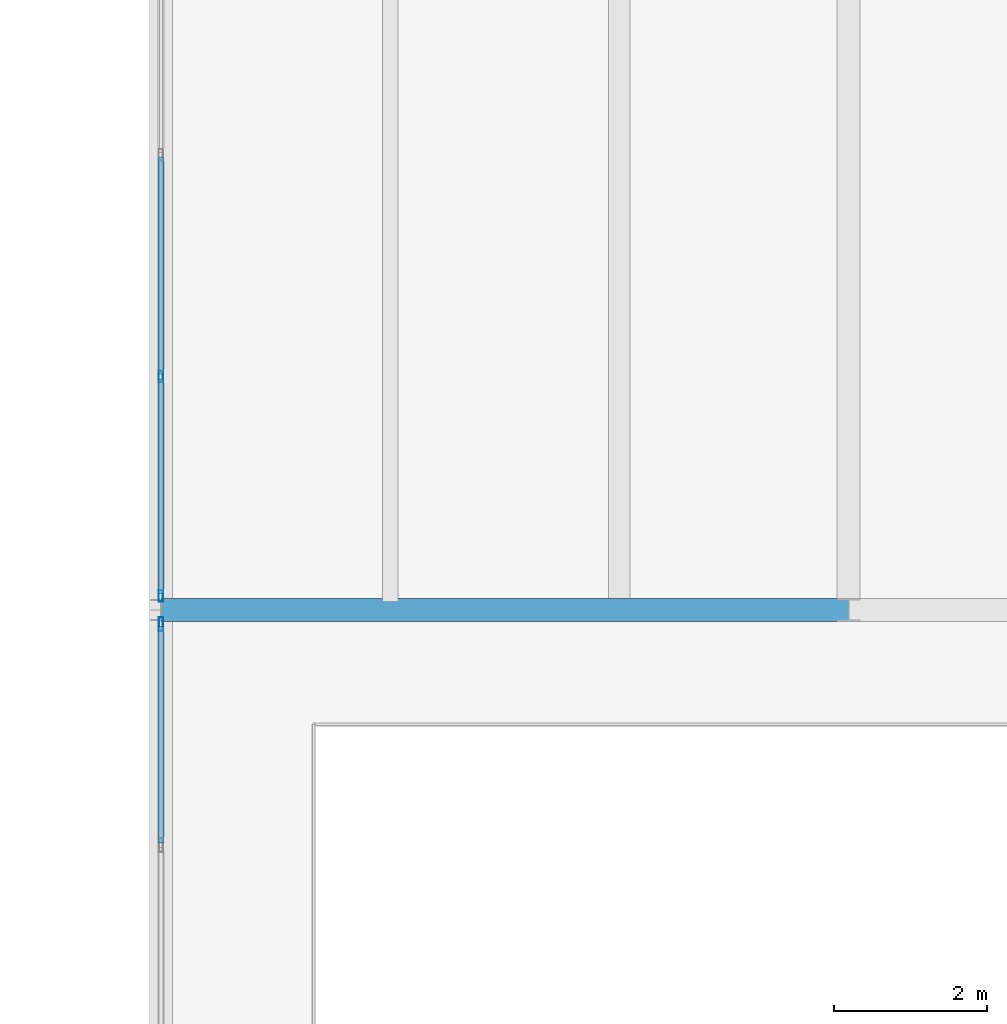
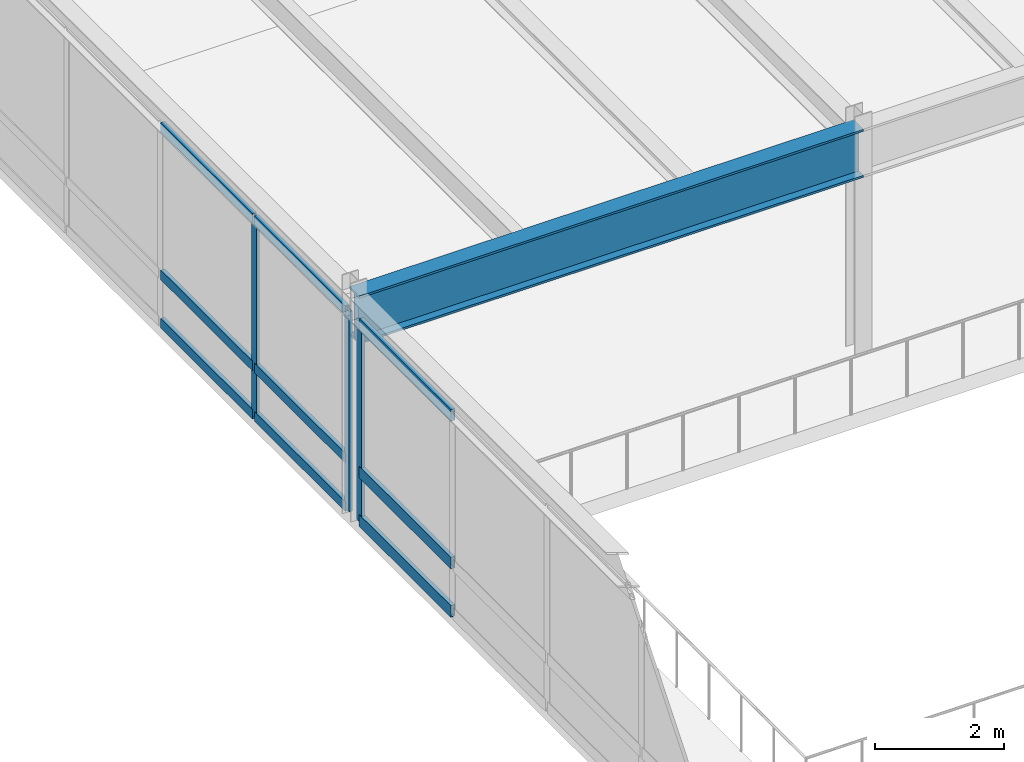
# One storey, part 52 of 127: 12 members, 1 beam, 2 elements without a shape of their own.
"""IFC4 building model written with IfcOpenShell, lengths in metres."""

import ifcopenshell
import ifcopenshell.guid

model = None  # the IFC model being written
_history = None  # IfcOwnerHistory: only IFC2X3 demands one
_inside = {}  # id of a spatial element -> (the spatial element, [elements in it])
_under = {}  # id of a project, library or spatial element -> (it, [spatial elements below it])
_declared = {}  # id of a project -> (the project, [libraries it declares])
_typed = {}  # id of a type object -> (the type object, [elements of that type])
_made_of = {}  # id of a material, layer set ... -> (it, [elements and type objects made of it])


def new_model(schema):
    """Start an empty IFC model of exactly this schema.

    Asked for "IFC4X3", IfcOpenShell would pick the latest addendum, in which some entities
    have other attributes; the version numbers below select the first issue.
    IFC2X3 requires an IfcOwnerHistory on every rooted entity: one is made here for all.
    """
    global model, _history
    if schema == "IFC4X3":
        model = ifcopenshell.file(schema_version=(4, 3, 0, 0))
    else:
        model = ifcopenshell.file(schema=schema)
    _inside.clear()
    _under.clear()
    _declared.clear()
    _typed.clear()
    _made_of.clear()
    _history = None
    if model.schema == "IFC2X3":
        org = make("IfcOrganization", Name="unknown")
        user = make(
            "IfcPersonAndOrganization",
            ThePerson=make("IfcPerson", FamilyName="unknown"),
            TheOrganization=org,
        )
        app = make(
            "IfcApplication",
            ApplicationDeveloper=org,
            Version="unknown",
            ApplicationFullName="unknown",
            ApplicationIdentifier="unknown",
        )
        _history = make(
            "IfcOwnerHistory",
            OwningUser=user,
            OwningApplication=app,
            ChangeAction="ADDED",
            CreationDate=0,
        )
    return model


def make(cls, **values):
    """One entity of the class cls with the attributes given. An attribute that is None is left unset."""
    return model.create_entity(
        cls, **{name: value for name, value in values.items() if value is not None}
    )


def rooted(cls, **values):
    """An entity with a GlobalId (a new one), such as an element, a storey or a relation."""
    return make(cls, GlobalId=ifcopenshell.guid.new(), OwnerHistory=_history, **values)


def si_unit(unit_type, name, prefix=None):
    """IfcSIUnit, for example si_unit("LENGTHUNIT", "METRE", prefix="MILLI")."""
    return make("IfcSIUnit", UnitType=unit_type, Prefix=prefix, Name=name)


def assignment(units):
    """IfcUnitAssignment: the units of a project."""
    return None if units is None else make("IfcUnitAssignment", Units=units)


def point(xyz):
    """IfcCartesianPoint."""
    return None if xyz is None else make("IfcCartesianPoint", Coordinates=xyz)


def direction(xyz):
    """IfcDirection."""
    return None if xyz is None else make("IfcDirection", DirectionRatios=xyz)


def frame(location, z_axis=None, x_axis=None):
    """IfcAxis2Placement3D, a coordinate frame: its origin and axes. An axis left out is left unset."""
    return make(
        "IfcAxis2Placement3D",
        Location=point(location),
        Axis=direction(z_axis),
        RefDirection=direction(x_axis),
    )


def frame_2d(location, x_axis=None):
    """IfcAxis2Placement2D, a coordinate frame in the plane: its origin and x axis."""
    return make(
        "IfcAxis2Placement2D", Location=point(location), RefDirection=direction(x_axis)
    )


def origin():
    """The frame at (0, 0, 0) with its axes left unset."""
    return frame((0.0, 0.0, 0.0))


def origin_2d():
    """The frame at (0, 0) in the plane with its x axis left unset."""
    return frame_2d((0.0, 0.0))


def place(relative_to, where):
    """IfcLocalPlacement: puts the frame where relative to a parent placement (None: the world)."""
    return make(
        "IfcLocalPlacement", PlacementRelTo=relative_to, RelativePlacement=where
    )


def context(
    kind, dimensions, precision=None, world=None, true_north=None, identifier=None
):
    """IfcGeometricRepresentationContext, for example the 3D "Model" context."""
    return make(
        "IfcGeometricRepresentationContext",
        ContextIdentifier=identifier,
        ContextType=kind,
        CoordinateSpaceDimension=dimensions,
        Precision=precision,
        WorldCoordinateSystem=world,
        TrueNorth=true_north,
    )


def subcontext(parent, identifier, kind, view, scale=None):
    """IfcGeometricRepresentationSubContext, for example "Body" below "Model"."""
    return make(
        "IfcGeometricRepresentationSubContext",
        ContextIdentifier=identifier,
        ContextType=kind,
        ParentContext=parent,
        TargetScale=scale,
        TargetView=view,
    )


def project(units=None, contexts=None):
    """IfcProject with its units and contexts."""
    return rooted(
        "IfcProject",
        Name="project",
        RepresentationContexts=contexts,
        UnitsInContext=assignment(units),
    )


def spatial(cls, under=None, at=None, **own):
    """A site, building, storey or space (cls), placed at a placement, below another one or the project."""
    s = rooted(cls, ObjectPlacement=at, **own)
    if under is not None:
        _under.setdefault(under.id(), (under, []))[1].append(s)
    return s


def profile(cls, at=None, kind="AREA", **sizes):
    """A parametric profile (cls). Its sizes go by their IFC names, for example OverallWidth=200.0."""
    return make(cls, ProfileType=kind, Position=at, **sizes)


def hollow_rectangle(**sizes):
    """IfcRectangleHollowProfileDef."""
    return profile("IfcRectangleHollowProfileDef", **sizes)


def i_section(**sizes):
    """IfcIShapeProfileDef."""
    return profile("IfcIShapeProfileDef", **sizes)


def extrude(swept, where, along, depth):
    """IfcExtrudedAreaSolid: the profile swept, set in the frame where, extruded along a direction by depth."""
    return make(
        "IfcExtrudedAreaSolid",
        SweptArea=swept,
        Position=where,
        ExtrudedDirection=direction(along),
        Depth=depth,
    )


def shape(context_of_items, identifier, shape_type, items):
    """IfcShapeRepresentation: the items that make up one representation, for example the "Body"."""
    return make(
        "IfcShapeRepresentation",
        ContextOfItems=context_of_items,
        RepresentationIdentifier=identifier,
        RepresentationType=shape_type,
        Items=items,
    )


def material(Name=None, Category=None):
    """IfcMaterial."""
    return make("IfcMaterial", Name=Name, Category=Category)


def layer(
    of_material, thickness, ventilated=None, Name=None, Category=None, Priority=None
):
    """IfcMaterialLayer: one layer of a wall or slab, of a material (None: an air gap)."""
    return make(
        "IfcMaterialLayer",
        Material=of_material,
        LayerThickness=thickness,
        IsVentilated=ventilated,
        Name=Name,
        Category=Category,
        Priority=Priority,
    )


def layer_set(layers, Name=None):
    """IfcMaterialLayerSet."""
    return make("IfcMaterialLayerSet", MaterialLayers=layers, LayerSetName=Name)


def material_profile(
    of_material, cross_section, Name=None, Category=None, Priority=None
):
    """IfcMaterialProfile: a cross section and its material."""
    return make(
        "IfcMaterialProfile",
        Name=Name,
        Material=of_material,
        Profile=cross_section,
        Priority=Priority,
        Category=Category,
    )


def profile_set(profiles, Name=None, composite=None):
    """IfcMaterialProfileSet."""
    return make(
        "IfcMaterialProfileSet",
        Name=Name,
        MaterialProfiles=profiles,
        CompositeProfile=composite,
    )


def made_of(thing, what):
    """Note that an element or type object is made of a material, layer set ...; save() writes the relation."""
    if what is not None:
        _made_of.setdefault(what.id(), (what, []))[1].append(thing)
    return thing


def type_object(cls, material=None, **own):
    """A type object (cls), such as IfcWallType, which elements share."""
    return made_of(rooted(cls, **own), material)


def element(
    cls,
    number,
    at=None,
    inside=None,
    cuts=None,
    type_object=None,
    material=None,
    context=None,
    identifier="Body",
    shape_type=None,
    held_by="IfcProductDefinitionShape",
    body=None,
    shapes=None,
    **own,
):
    """One element of the class cls, such as IfcWall. Its Tag is "e" and its number.

    at: its placement. inside: the storey or other place that contains it. cuts: it is an
    opening in that element (IfcRelVoidsElement). A single representation is given by context,
    identifier, shape_type and body (its items); several are given by shapes. held_by: the class
    of the entity that holds the representations. save() writes the other relations.
    """
    e = rooted(cls, Tag="e%d" % number, ObjectPlacement=at, **own)
    if body is not None:
        shapes = [shape(context, identifier, shape_type, body)]
    if shapes is not None:
        e.Representation = make(held_by, Representations=shapes)
    if inside is not None:
        _inside.setdefault(inside.id(), (inside, []))[1].append(e)
    if cuts is not None:
        rooted(
            "IfcRelVoidsElement", RelatingBuildingElement=cuts, RelatedOpeningElement=e
        )
    if type_object is not None:
        _typed.setdefault(type_object.id(), (type_object, []))[1].append(e)
    return made_of(e, material)


def aggregate(whole, parts):
    """IfcRelAggregates: a whole, such as a stair, and the parts it consists of."""
    return rooted("IfcRelAggregates", RelatingObject=whole, RelatedObjects=parts)


def save(model, path):
    """Write the relations noted so far, then the file.

    IfcRelAggregates (storeys below a building ...), IfcRelContainedInSpatialStructure (elements
    in a storey), IfcRelDefinesByType, IfcRelAssociatesMaterial and IfcRelDeclares: one each for
    every whole, place, type object, material and project.
    """
    for whole, parts in _under.values():
        aggregate(whole, parts)
    for where, things in _inside.values():
        rooted(
            "IfcRelContainedInSpatialStructure",
            RelatedElements=things,
            RelatingStructure=where,
        )
    for kind, things in _typed.values():
        rooted("IfcRelDefinesByType", RelatedObjects=things, RelatingType=kind)
    for what, things in _made_of.values():
        rooted("IfcRelAssociatesMaterial", RelatedObjects=things, RelatingMaterial=what)
    for by, libraries in _declared.values():
        rooted("IfcRelDeclares", RelatingContext=by, RelatedDefinitions=libraries)
    model.write(path)


model = new_model("IFC4")

# Units and contexts
model_context = context("Model", 3, precision=1e-05, world=origin(), true_north=direction((0.0, 1.0)))
body_context = subcontext(model_context, "Body", "Model", "MODEL_VIEW")
ifc_project = project(units=[si_unit("LENGTHUNIT", "METRE"), si_unit("AREAUNIT", "SQUARE_METRE"), si_unit("VOLUMEUNIT", "CUBIC_METRE"), si_unit("PLANEANGLEUNIT", "RADIAN"), si_unit("MASSUNIT", "GRAM", prefix="KILO")], contexts=[model_context])

# Site, building, storey
site_placement = place(None, origin())
site = spatial("IfcSite", under=ifc_project, at=site_placement, CompositionType="ELEMENT")
building_placement = place(site_placement, origin())
building = spatial("IfcBuilding", under=site, at=building_placement, Name="Montelvaro Courts of Justice", CompositionType="ELEMENT")
storey_placement = place(building_placement, frame((0.0, 0.0, 5.39990234375)))
storey = spatial("IfcBuildingStorey", under=building, at=storey_placement, Name="L01", CompositionType="ELEMENT", Elevation=5.39990234375)

# Beam
ifc_material_1 = material(Name="Steel S355", Category="steel")
ifc_material_profile_1 = material_profile(ifc_material_1, i_section(OverallWidth=0.302001953125, OverallDepth=0.909912109375, WebThickness=0.02099609375, FlangeThickness=0.0400390625, at=origin_2d()), Name="HEM 900")
ifc_profile_set_1 = profile_set([ifc_material_profile_1], Name="Steel S355")
beam_type = type_object("IfcBeamType", Name="Beam_HEM900", PredefinedType="USERDEFINED", material=ifc_profile_set_1)
beam_placement = place(storey_placement, frame((54.0, 66.0, 3.76513671875), z_axis=(1.0, 0.0, 0.0), x_axis=(0.0, 1.0, 0.0)))
element("IfcBeam", 1, at=beam_placement, inside=storey, type_object=beam_type, Name="Beam B-31 L01", ObjectType="GIRDER", PredefinedType="USERDEFINED", context=body_context, shape_type="SweptSolid", body=[
    extrude(i_section(OverallWidth=0.302001953125, OverallDepth=0.909912109375, WebThickness=0.02099609375, FlangeThickness=0.0400390625, at=origin_2d()), origin(), (0.0, 0.0, 1.0), 9.0),
])

# Curtain wall, members
ifc_material_2 = material(Name="Anodised aluminium EN AW-6063", Category="aluminium")
ifc_layer_1 = layer(ifc_material_2, 0.159912109375)
ifc_layer_set_1 = layer_set([ifc_layer_1], Name="Anodised aluminium EN AW-6063")
curtain_wall_type_1 = type_object("IfcCurtainWallType", Name="CurtainWall_19_1159x418", PredefinedType="USERDEFINED", material=ifc_layer_set_1)
curtain_wall_1_placement = place(storey_placement, origin())
curtain_wall_1 = element("IfcCurtainWall", 2, at=curtain_wall_1_placement, inside=storey, type_object=curtain_wall_type_1, Name="Curtain Wall CW-19 (L01)", ObjectType="CURTAIN WALL", PredefinedType="USERDEFINED")
ifc_material_profile_2 = material_profile(ifc_material_2, hollow_rectangle(XDim=0.06005859375, YDim=0.14990234375, WallThickness=0.00390625, at=origin_2d()), Name="ALU-M 60x150")
ifc_profile_set_2 = profile_set([ifc_material_profile_2], Name="Anodised aluminium EN AW-6063")
member_type_1 = type_object("IfcMemberType", Name="CurtainWall_Mullion_60x150", PredefinedType="MULLION", material=ifc_profile_set_2)
member_1_placement = place(storey_placement, frame((54.0, 69.05615234375, 0.0), z_axis=(0.0, 0.0, 1.0), x_axis=(1.0, 0.0, 0.0)))
member_1 = element("IfcMember", 3, at=member_1_placement, type_object=member_type_1, Name="CW-19 mullion 4", PredefinedType="MULLION", context=body_context, shape_type="SweptSolid", body=[
    extrude(hollow_rectangle(XDim=0.06005859375, YDim=0.14990234375, WallThickness=0.00390625, at=origin_2d()), origin(), (0.0, 0.0, 1.0), 3.775146484375),
])
member_2_placement = place(storey_placement, frame((54.0, 66.18505859375, 0.0), z_axis=(0.0, 0.0, 1.0), x_axis=(1.0, 0.0, 0.0)))
member_2 = element("IfcMember", 4, at=member_2_placement, type_object=member_type_1, Name="CW-19 mullion 5", PredefinedType="MULLION", context=body_context, shape_type="SweptSolid", body=[
    extrude(hollow_rectangle(XDim=0.06005859375, YDim=0.14990234375, WallThickness=0.00390625, at=origin_2d()), origin(), (0.0, 0.0, 1.0), 3.775146484375),
])

# Curtain wall, member
ifc_layer_2 = layer(ifc_material_2, 0.159912109375)
ifc_layer_set_2 = layer_set([ifc_layer_2], Name="Anodised aluminium EN AW-6063")
curtain_wall_type_2 = type_object("IfcCurtainWallType", Name="CurtainWall_24_1169x418", PredefinedType="USERDEFINED", material=ifc_layer_set_2)
curtain_wall_2_placement = place(storey_placement, origin())
curtain_wall_2 = element("IfcCurtainWall", 5, at=curtain_wall_2_placement, inside=storey, type_object=curtain_wall_type_2, Name="Curtain Wall CW-24 (L01)", ObjectType="CURTAIN WALL", PredefinedType="USERDEFINED")
ifc_material_profile_3 = material_profile(ifc_material_2, hollow_rectangle(XDim=0.06005859375, YDim=0.179931640625, WallThickness=0.00439453125, at=origin_2d()), Name="ALU-M 60x180")
ifc_profile_set_3 = profile_set([ifc_material_profile_3], Name="Anodised aluminium EN AW-6063")
member_type_2 = type_object("IfcMemberType", Name="CurtainWall_Mullion_60x180", PredefinedType="MULLION", material=ifc_profile_set_3)
member_3_placement = place(storey_placement, frame((54.0, 65.81494140625, 0.0), z_axis=(0.0, 0.0, 1.0), x_axis=(1.0, 0.0, 0.0)))
member_3 = element("IfcMember", 6, at=member_3_placement, type_object=member_type_2, Name="CW-24 mullion 1", PredefinedType="MULLION", context=body_context, shape_type="SweptSolid", body=[
    extrude(hollow_rectangle(XDim=0.06005859375, YDim=0.179931640625, WallThickness=0.00439453125, at=origin_2d()), origin(), (0.0, 0.0, 1.0), 3.775146484375),
])

# Member
ifc_material_profile_4 = material_profile(ifc_material_2, hollow_rectangle(XDim=0.074951171875, YDim=0.179931640625, WallThickness=0.0048828125, at=origin_2d()), Name="ALU-T 75x180")
ifc_profile_set_4 = profile_set([ifc_material_profile_4], Name="Anodised aluminium EN AW-6063")
member_type_3 = type_object("IfcMemberType", Name="CurtainWall_Transom_75x180", PredefinedType="USERDEFINED", material=ifc_profile_set_4)
member_4_placement = place(storey_placement, frame((54.0, 71.927490234375, 0.03759765625), z_axis=(0.0, -1.0, 0.0), x_axis=(1.0, 0.0, 0.0)))
member_4 = element("IfcMember", 7, at=member_4_placement, type_object=member_type_3, Name="CW-19 transom 3.1", ObjectType="TRANSOM", PredefinedType="USERDEFINED", context=body_context, shape_type="SweptSolid", body=[
    extrude(hollow_rectangle(XDim=0.074951171875, YDim=0.179931640625, WallThickness=0.0048828125, at=origin_2d()), origin(), (0.0, 0.0, 1.0), 2.84130859375),
])

member_5_placement = place(storey_placement, frame((54.0, 71.927490234375, 0.9501953125), z_axis=(0.0, -1.0, 0.0), x_axis=(1.0, 0.0, 0.0)))
member_5 = element("IfcMember", 8, at=member_5_placement, type_object=member_type_3, Name="CW-19 transom 3.2", ObjectType="TRANSOM", PredefinedType="USERDEFINED", context=body_context, shape_type="SweptSolid", body=[
    extrude(hollow_rectangle(XDim=0.074951171875, YDim=0.179931640625, WallThickness=0.0048828125, at=origin_2d()), origin(), (0.0, 0.0, 1.0), 2.84130859375),
])

member_6_placement = place(storey_placement, frame((54.0, 71.927490234375, 3.737548828125), z_axis=(0.0, -1.0, 0.0), x_axis=(1.0, 0.0, 0.0)))
member_6 = element("IfcMember", 9, at=member_6_placement, type_object=member_type_3, Name="CW-19 transom 3.3", ObjectType="TRANSOM", PredefinedType="USERDEFINED", context=body_context, shape_type="SweptSolid", body=[
    extrude(hollow_rectangle(XDim=0.074951171875, YDim=0.179931640625, WallThickness=0.0048828125, at=origin_2d()), origin(), (0.0, 0.0, 1.0), 2.84130859375),
])

member_7_placement = place(storey_placement, frame((54.0, 69.0263671875, 0.03759765625), z_axis=(0.0, -1.0, 0.0), x_axis=(1.0, 0.0, 0.0)))
member_7 = element("IfcMember", 10, at=member_7_placement, type_object=member_type_3, Name="CW-19 transom 4.1", ObjectType="TRANSOM", PredefinedType="USERDEFINED", context=body_context, shape_type="SweptSolid", body=[
    extrude(hollow_rectangle(XDim=0.074951171875, YDim=0.179931640625, WallThickness=0.0048828125, at=origin_2d()), origin(), (0.0, 0.0, 1.0), 2.811279296875),
])

member_8_placement = place(storey_placement, frame((54.0, 69.0263671875, 0.9501953125), z_axis=(0.0, -1.0, 0.0), x_axis=(1.0, 0.0, 0.0)))
member_8 = element("IfcMember", 11, at=member_8_placement, type_object=member_type_3, Name="CW-19 transom 4.2", ObjectType="TRANSOM", PredefinedType="USERDEFINED", context=body_context, shape_type="SweptSolid", body=[
    extrude(hollow_rectangle(XDim=0.074951171875, YDim=0.179931640625, WallThickness=0.0048828125, at=origin_2d()), origin(), (0.0, 0.0, 1.0), 2.811279296875),
])

member_9_placement = place(storey_placement, frame((54.0, 69.0263671875, 3.737548828125), z_axis=(0.0, -1.0, 0.0), x_axis=(1.0, 0.0, 0.0)))
member_9 = element("IfcMember", 12, at=member_9_placement, type_object=member_type_3, Name="CW-19 transom 4.3", ObjectType="TRANSOM", PredefinedType="USERDEFINED", context=body_context, shape_type="SweptSolid", body=[
    extrude(hollow_rectangle(XDim=0.074951171875, YDim=0.179931640625, WallThickness=0.0048828125, at=origin_2d()), origin(), (0.0, 0.0, 1.0), 2.811279296875),
])

aggregate(curtain_wall_1, [member_1, member_2, member_4, member_5, member_6, member_7, member_8, member_9])

ifc_material_profile_5 = material_profile(ifc_material_2, hollow_rectangle(XDim=0.074951171875, YDim=0.219970703125, WallThickness=0.005615234375, at=origin_2d()), Name="ALU-T 75x220")
ifc_profile_set_5 = profile_set([ifc_material_profile_5], Name="Anodised aluminium EN AW-6063")
member_type_4 = type_object("IfcMemberType", Name="CurtainWall_Transom_75x220", PredefinedType="USERDEFINED", material=ifc_profile_set_5)
member_10_placement = place(storey_placement, frame((54.0, 65.784912109375, 0.03759765625), z_axis=(0.0, -1.0, 0.0), x_axis=(1.0, 0.0, 0.0)))
member_10 = element("IfcMember", 13, at=member_10_placement, type_object=member_type_4, Name="CW-24 transom 1.1", ObjectType="TRANSOM", PredefinedType="USERDEFINED", context=body_context, shape_type="SweptSolid", body=[
    extrude(hollow_rectangle(XDim=0.074951171875, YDim=0.219970703125, WallThickness=0.005615234375, at=origin_2d()), origin(), (0.0, 0.0, 1.0), 2.83251953125),
])

member_11_placement = place(storey_placement, frame((54.0, 65.784912109375, 0.9501953125), z_axis=(0.0, -1.0, 0.0), x_axis=(1.0, 0.0, 0.0)))
member_11 = element("IfcMember", 14, at=member_11_placement, type_object=member_type_4, Name="CW-24 transom 1.2", ObjectType="TRANSOM", PredefinedType="USERDEFINED", context=body_context, shape_type="SweptSolid", body=[
    extrude(hollow_rectangle(XDim=0.074951171875, YDim=0.219970703125, WallThickness=0.005615234375, at=origin_2d()), origin(), (0.0, 0.0, 1.0), 2.83251953125),
])

member_12_placement = place(storey_placement, frame((54.0, 65.784912109375, 3.737548828125), z_axis=(0.0, -1.0, 0.0), x_axis=(1.0, 0.0, 0.0)))
member_12 = element("IfcMember", 15, at=member_12_placement, type_object=member_type_4, Name="CW-24 transom 1.3", ObjectType="TRANSOM", PredefinedType="USERDEFINED", context=body_context, shape_type="SweptSolid", body=[
    extrude(hollow_rectangle(XDim=0.074951171875, YDim=0.219970703125, WallThickness=0.005615234375, at=origin_2d()), origin(), (0.0, 0.0, 1.0), 2.83251953125),
])

aggregate(curtain_wall_2, [member_3, member_10, member_11, member_12])

save(model, "model.ifc")
